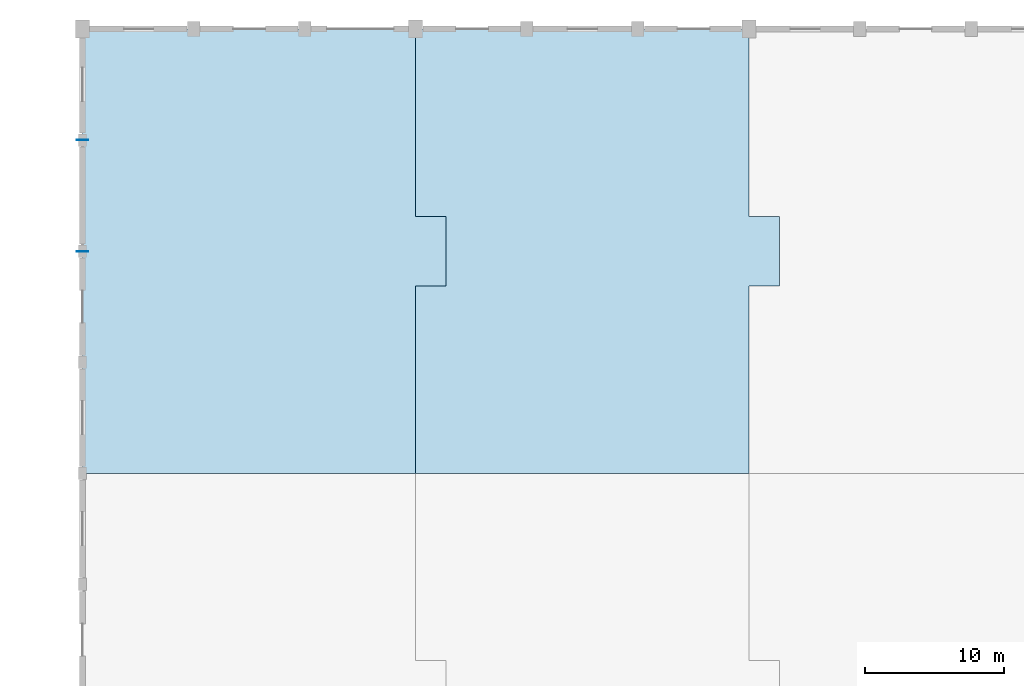
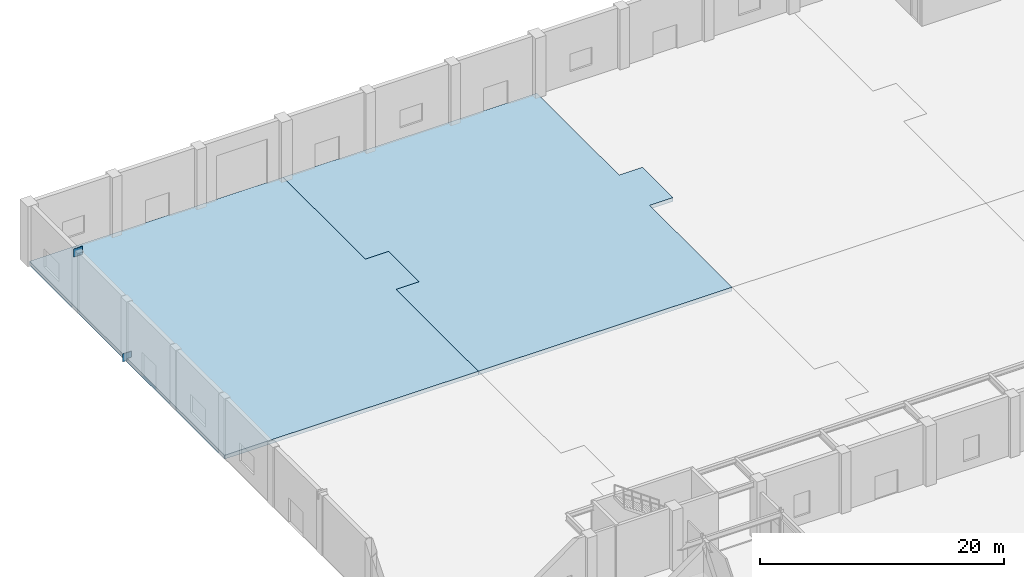
# One storey, part 25 of 49: 2 plates, 2 slabs.
"""IFC4 building model written with IfcOpenShell, lengths in metres."""

from ifc_helpers import new_model, si_unit, direction, frame, origin, origin_2d, place, context, subcontext, project, spatial, polyline, rectangle, outline, extrude, material, layer, layer_set, type_object, element, save


model = new_model("IFC4")

# Units and contexts
model_context = context("Model", 3, precision=1e-05, world=origin(), true_north=direction((0.0, 1.0)))
body_context = subcontext(model_context, "Body", "Model", "MODEL_VIEW")
ifc_project = project(units=[si_unit("LENGTHUNIT", "METRE"), si_unit("AREAUNIT", "SQUARE_METRE"), si_unit("VOLUMEUNIT", "CUBIC_METRE"), si_unit("PLANEANGLEUNIT", "RADIAN"), si_unit("MASSUNIT", "GRAM", prefix="KILO")], contexts=[model_context])

# Site, building, storey
site_placement = place(None, origin())
site = spatial("IfcSite", under=ifc_project, at=site_placement, CompositionType="ELEMENT")
building_placement = place(site_placement, origin())
building = spatial("IfcBuilding", under=site, at=building_placement, Name="Tlacozan Convention Centre", CompositionType="ELEMENT")
storey_placement = place(building_placement, origin())
storey = spatial("IfcBuildingStorey", under=building, at=storey_placement, Name="L00", CompositionType="ELEMENT", Elevation=0.0)

# Plates
ifc_material_1 = material(Name="Steel ASTM A572 Grade 50", Category="steel")
ifc_layer_1 = layer(ifc_material_1, 0.034912109375)
ifc_layer_set_1 = layer_set([ifc_layer_1], Name="Steel ASTM A572 Grade 50")
plate_type = type_object("IfcPlateType", Name="Arch Crown Splice Gusset Plate", PredefinedType="SHEET", material=ifc_layer_set_1)
for number, where, z_axis, x_axis, name in (
    (1, (0.0, 109.982421875, -0.21240234375), (0.0, 0.0, 1.0), (0.0, 1.0, 0.0), "L00 Gusset Cap Plate 959"),
    (2, (0.0, 118.017578125, 5.412109375), (0.0, 0.0, 1.0), (0.0, 1.0, 0.0), "L00 Gusset Cap Plate 960"),
):
    element("IfcPlate", number, at=place(storey_placement, frame(where, z_axis=z_axis, x_axis=x_axis)), inside=storey, type_object=plate_type, Name=name, PredefinedType="SHEET", context=body_context, shape_type="SweptSolid", body=[
        extrude(rectangle(XDim=0.034912109375, YDim=0.85009765625, at=origin_2d()), origin(), (0.0, 0.0, 1.0), 0.800048828125),
    ])

# Slabs
ifc_material_2 = material(Name="Concrete C40/50", Category="concrete")
ifc_layer_2 = layer(ifc_material_2, 0.3798828125)
ifc_layer_set_2 = layer_set([ifc_layer_2], Name="Concrete C40/50")
slab_type = type_object("IfcSlabType", Name="Heavy Exhibition Floor Slab 380", PredefinedType="FLOOR", material=ifc_layer_set_2)
slab_1_placement = place(storey_placement, frame((0.0, 0.0, -0.3798828125)))
element("IfcSlab", 3, at=slab_1_placement, inside=storey, type_object=slab_type, Name="L00 Heavy Exhibition Floor Slab 380 31", PredefinedType="FLOOR", context=body_context, shape_type="SweptSolid", body=[
    extrude(outline(polyline([(0.0, 94.0), (0.0, 126.0), (24.0, 126.0), (24.0, 112.5), (26.199951171875, 112.5), (26.199951171875, 107.5), (24.0, 107.5), (24.0, 94.0), (0.0, 94.0)])), origin(), (0.0, 0.0, 1.0), 0.3798828125),
])
slab_2_placement = place(storey_placement, frame((0.0, 0.0, -0.3798828125)))
element("IfcSlab", 4, at=slab_2_placement, inside=storey, type_object=slab_type, Name="L00 Heavy Exhibition Floor Slab 380 33", PredefinedType="FLOOR", context=body_context, shape_type="SweptSolid", body=[
    extrude(outline(polyline([(24.0, 107.5), (26.199951171875, 107.5), (26.199951171875, 112.5), (24.0, 112.5), (24.0, 126.0), (48.0, 126.0), (48.0, 112.5), (50.199951171875, 112.5), (50.199951171875, 107.5), (48.0, 107.5), (48.0, 94.0), (24.0, 94.0), (24.0, 107.5)])), origin(), (0.0, 0.0, 1.0), 0.3798828125),
])

save(model, "model.ifc")
